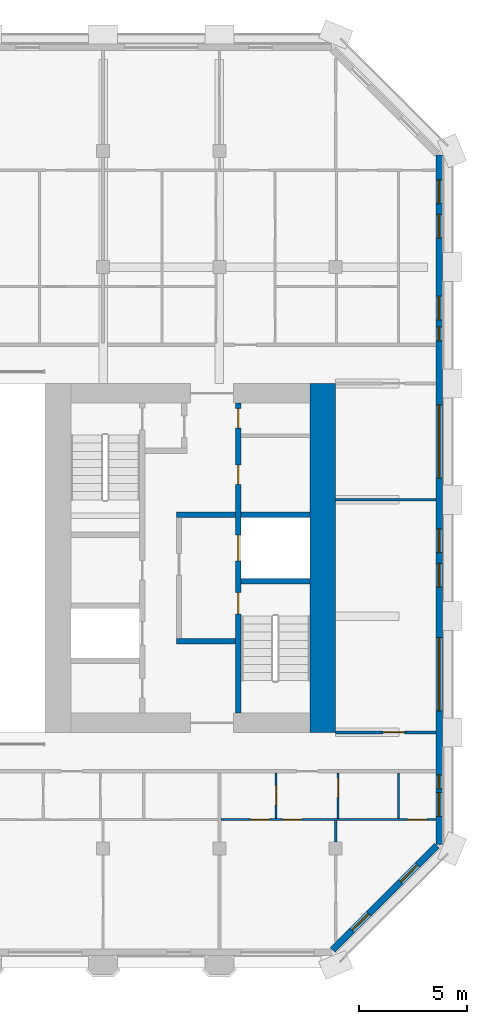
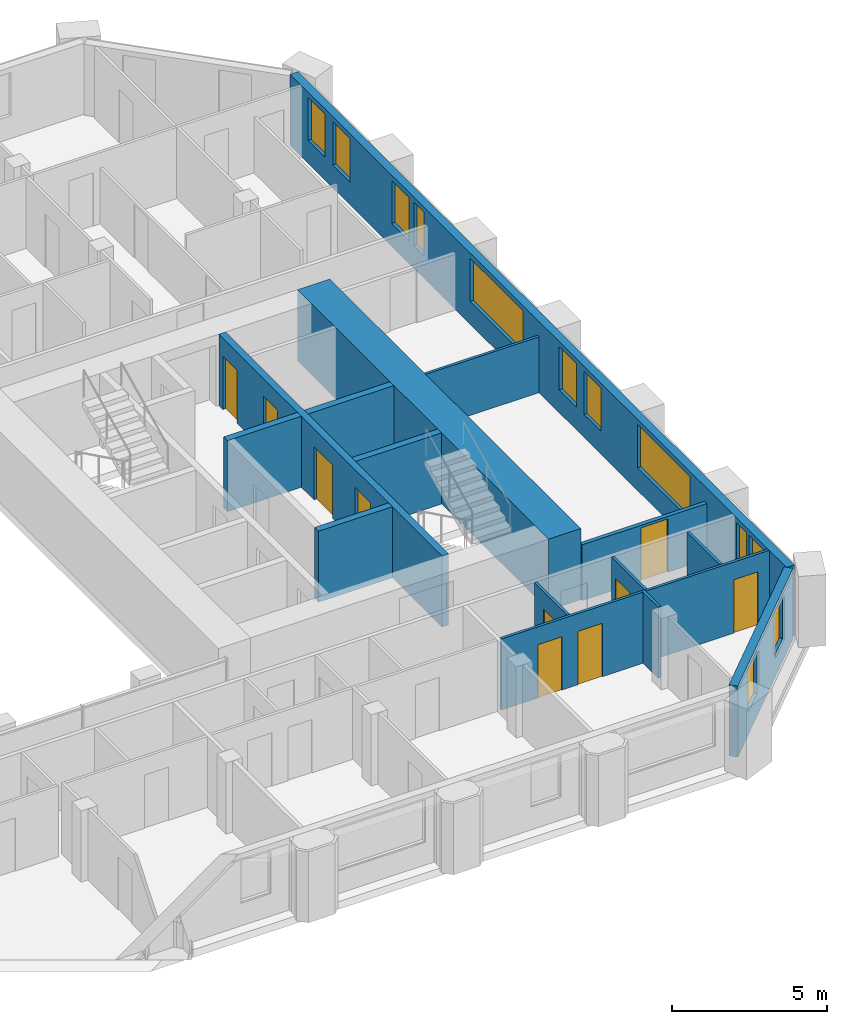
# One storey, part 7 of 13: 16 walls, 12 windows, 10 doors, 22 openings.
"""IFC4 building model written with IfcOpenShell, lengths in metres."""

from ifc_helpers import new_model, si_unit, direction, frame, frame_2d, origin, place, context, subcontext, project, spatial, rectangle, extrude, material, layer, layer_set, type_object, element, fill, save


model = new_model("IFC4")

# Units and contexts
model_context = context("Model", 3, precision=1e-05, world=origin(), true_north=direction((0.0, 1.0)))
body_context = subcontext(model_context, "Body", "Model", "MODEL_VIEW")
ifc_project = project(units=[si_unit("LENGTHUNIT", "METRE"), si_unit("AREAUNIT", "SQUARE_METRE"), si_unit("VOLUMEUNIT", "CUBIC_METRE"), si_unit("PLANEANGLEUNIT", "RADIAN"), si_unit("MASSUNIT", "GRAM", prefix="KILO")], contexts=[model_context])

# Site, building, storey
site_placement = place(None, origin())
site = spatial("IfcSite", under=ifc_project, at=site_placement, CompositionType="ELEMENT")
building_placement = place(site_placement, origin())
building = spatial("IfcBuilding", under=site, at=building_placement, Name="Tabaq Tower and Sports Hall", CompositionType="ELEMENT")
storey_placement = place(building_placement, frame((0.0, 0.0, 304.89990234375)))
storey = spatial("IfcBuildingStorey", under=building, at=storey_placement, Name="L76", CompositionType="ELEMENT", Elevation=304.89990234375)

# Walls
ifc_material_1 = material(Name="Concrete C40/50", Category="concrete")
ifc_layer_1 = layer(ifc_material_1, 1.199951171875)
ifc_layer_set_1 = layer_set([ifc_layer_1], Name="Core wall 1200 Concrete C40/50")
wall_type_1 = type_object("IfcWallType", Name="Core wall 1200 Concrete C40/50", PredefinedType="SOLIDWALL", material=ifc_layer_set_1)
wall_1_placement = place(storey_placement, frame((42.60009765625, 32.39990234375, 0.0), z_axis=(0.0, 0.0, 1.0), x_axis=(0.0, -1.0, 0.0)))
element("IfcWall", 1, at=wall_1_placement, inside=storey, type_object=wall_type_1, Name="Core wall E L76", PredefinedType="SOLIDWALL", context=body_context, shape_type="SweptSolid", body=[
    extrude(rectangle(XDim=16.199951171875, YDim=1.199951171875, at=frame_2d((8.10009765625, 0.0))), origin(), (0.0, 0.0, 1.0), 2.800048828125),
])
ifc_material_2 = material(Name="Gypsum board on steel studs", Category="steel")
ifc_layer_2 = layer(ifc_material_2, 0.10009765625)
ifc_layer_set_2 = layer_set([ifc_layer_2], Name="Partition 100 Gypsum board")
wall_type_2 = type_object("IfcWallType", Name="Partition 100 Gypsum board", PredefinedType="PARTITIONING", material=ifc_layer_set_2)
wall_2_placement = place(storey_placement, frame((43.199951171875, 27.0, 0.0), z_axis=(0.0, 0.0, 1.0), x_axis=(1.0, 0.0, 0.0)))
element("IfcWall", 2, at=wall_2_placement, inside=storey, type_object=wall_type_2, Name="Partition wall L76", PredefinedType="PARTITIONING", context=body_context, shape_type="SweptSolid", body=[
    extrude(rectangle(XDim=4.649169921875, YDim=0.10009765625, at=frame_2d((2.32470703125, 0.0))), origin(), (0.0, 0.0, 1.0), 2.2001953125),
])
wall_3_placement = place(storey_placement, frame((43.199951171875, 11.1201171875, 0.0), z_axis=(0.0, 0.0, 1.0), x_axis=(0.0, 1.0, 0.0)))
element("IfcWall", 3, at=wall_3_placement, inside=storey, type_object=wall_type_2, Name="Partition wall L76", PredefinedType="PARTITIONING", context=body_context, shape_type="SweptSolid", body=[
    extrude(rectangle(XDim=1.079833984375, YDim=0.10009765625, at=frame_2d((0.5400390625, 0.0))), origin(), (0.0, 0.0, 1.0), 2.800048828125),
])

# Wall, openings, doors
wall_4_placement = place(storey_placement, frame((43.14990234375, 12.14990234375, 0.0), z_axis=(0.0, 0.0, 1.0), x_axis=(-1.0, 0.0, 0.0)))
wall_4 = element("IfcWall", 4, at=wall_4_placement, inside=storey, type_object=wall_type_2, Name="Partition wall L76", PredefinedType="PARTITIONING", context=body_context, shape_type="SweptSolid", body=[
    extrude(rectangle(XDim=5.27490234375, YDim=0.10009765625, at=frame_2d((2.637451171875, 0.0))), origin(), (0.0, 0.0, 1.0), 2.800048828125),
])
opening_1_placement = place(wall_4_placement, frame((3.01708984375, 0.0, 0.0)))
opening_1 = element("IfcOpeningElement", 5, at=opening_1_placement, cuts=wall_4, Name="Opening L76-049", PredefinedType="OPENING", context=body_context, shape_type="SweptSolid", body=[
    extrude(rectangle(XDim=0.89990234375, YDim=2.10009765625, at=frame_2d((0.449951171875, 1.050048828125))), frame((0.0, 0.050048828125, 0.0), z_axis=(0.0, -1.0, 0.0), x_axis=(1.0, 0.0, 0.0)), (0.0, 0.0, 1.0), 0.10009765625),
])
opening_2_placement = place(wall_4_placement, frame((1.51708984375, 0.0, 0.0)))
opening_2 = element("IfcOpeningElement", 6, at=opening_2_placement, cuts=wall_4, Name="Opening L76-058", PredefinedType="OPENING", context=body_context, shape_type="SweptSolid", body=[
    extrude(rectangle(XDim=0.89990234375, YDim=2.10009765625, at=frame_2d((0.449951171875, 1.050048828125))), frame((0.0, 0.050048828125, 0.0), z_axis=(0.0, -1.0, 0.0), x_axis=(1.0, 0.0, 0.0)), (0.0, 0.0, 1.0), 0.10009765625),
])
ifc_material_3 = material(Name="Timber leaf in steel frame", Category="steel")
door_type_1 = type_object("IfcDoorType", Name="Internal door 900 left hand", OperationType="SINGLE_SWING_LEFT", PredefinedType="DOOR", material=ifc_material_3)
door_1_placement = place(opening_1_placement, origin())
door_1 = element("IfcDoor", 7, at=door_1_placement, inside=storey, type_object=door_type_1, Name="Internal door L76-049", OperationType="SINGLE_SWING_LEFT", OverallHeight=2.10009765625, OverallWidth=0.89990234375, PredefinedType="DOOR", context=body_context, shape_type="SweptSolid", body=[
    extrude(rectangle(XDim=0.89990234375, YDim=2.10009765625, at=frame_2d((0.449951171875, 1.050048828125))), frame((0.0, 0.02490234375, 0.0), z_axis=(0.0, -1.0, 0.0), x_axis=(1.0, 0.0, 0.0)), (0.0, 0.0, 1.0), 0.050048828125),
])
fill(opening_1, door_1)
ifc_material_4 = material(Name="Timber leaf in steel frame", Category="steel")
door_type_2 = type_object("IfcDoorType", Name="Internal door 900 right hand", OperationType="SINGLE_SWING_RIGHT", PredefinedType="DOOR", material=ifc_material_4)
door_2_placement = place(opening_2_placement, origin())
door_2 = element("IfcDoor", 8, at=door_2_placement, inside=storey, type_object=door_type_2, Name="Internal door L76-058", OperationType="SINGLE_SWING_RIGHT", OverallHeight=2.10009765625, OverallWidth=0.89990234375, PredefinedType="DOOR", context=body_context, shape_type="SweptSolid", body=[
    extrude(rectangle(XDim=0.89990234375, YDim=2.10009765625, at=frame_2d((0.449951171875, 1.050048828125))), frame((0.0, 0.02490234375, 0.0), z_axis=(0.0, -1.0, 0.0), x_axis=(1.0, 0.0, 0.0)), (0.0, 0.0, 1.0), 0.050048828125),
])
fill(opening_2, door_2)

# Wall, opening, door
wall_5_placement = place(storey_placement, frame((47.84912109375, 12.14990234375, 0.0), z_axis=(0.0, 0.0, 1.0), x_axis=(-1.0, 0.0, 0.0)))
wall_5 = element("IfcWall", 9, at=wall_5_placement, inside=storey, type_object=wall_type_2, Name="Partition wall L76", PredefinedType="PARTITIONING", context=body_context, shape_type="SweptSolid", body=[
    extrude(rectangle(XDim=4.587158203125, YDim=0.10009765625, at=frame_2d((2.29345703125, 0.0))), origin(), (0.0, 0.0, 1.0), 2.800048828125),
])
opening_3_placement = place(wall_5_placement, frame((0.41796875, 0.0, 0.0)))
opening_3 = element("IfcOpeningElement", 10, at=opening_3_placement, cuts=wall_5, Name="Opening L76-025", PredefinedType="OPENING", context=body_context, shape_type="SweptSolid", body=[
    extrude(rectangle(XDim=0.89990234375, YDim=2.10009765625, at=frame_2d((0.449951171875, 1.050048828125))), frame((0.0, 0.050048828125, 0.0), z_axis=(0.0, -1.0, 0.0), x_axis=(1.0, 0.0, 0.0)), (0.0, 0.0, 1.0), 0.10009765625),
])
door_3_placement = place(opening_3_placement, origin())
door_3 = element("IfcDoor", 11, at=door_3_placement, inside=storey, type_object=door_type_2, Name="Internal door L76-025", OperationType="SINGLE_SWING_RIGHT", OverallHeight=2.10009765625, OverallWidth=0.89990234375, PredefinedType="DOOR", context=body_context, shape_type="SweptSolid", body=[
    extrude(rectangle(XDim=0.89990234375, YDim=2.10009765625, at=frame_2d((0.449951171875, 1.050048828125))), frame((0.0, 0.02490234375, 0.0), z_axis=(0.0, -1.0, 0.0), x_axis=(1.0, 0.0, 0.0)), (0.0, 0.0, 1.0), 0.050048828125),
])
fill(opening_3, door_3)

wall_6_placement = place(storey_placement, frame((40.43310546875, 12.199951171875, 0.0), z_axis=(0.0, 0.0, 1.0), x_axis=(0.0, 1.0, 0.0)))
wall_6 = element("IfcWall", 12, at=wall_6_placement, inside=storey, type_object=wall_type_2, Name="Partition wall L76", PredefinedType="PARTITIONING", context=body_context, shape_type="SweptSolid", body=[
    extrude(rectangle(XDim=2.125, YDim=0.10009765625, at=frame_2d((1.0625, 0.0))), origin(), (0.0, 0.0, 1.0), 2.800048828125),
])
opening_4_placement = place(wall_6_placement, frame((0.625, 0.0, 0.0)))
opening_4 = element("IfcOpeningElement", 13, at=opening_4_placement, cuts=wall_6, Name="Opening L76-050", PredefinedType="OPENING", context=body_context, shape_type="SweptSolid", body=[
    extrude(rectangle(XDim=0.89990234375, YDim=2.10009765625, at=frame_2d((0.449951171875, 1.050048828125))), frame((0.0, 0.050048828125, 0.0), z_axis=(0.0, -1.0, 0.0), x_axis=(1.0, 0.0, 0.0)), (0.0, 0.0, 1.0), 0.10009765625),
])
door_4_placement = place(opening_4_placement, origin())
door_4 = element("IfcDoor", 14, at=door_4_placement, inside=storey, type_object=door_type_1, Name="Internal door L76-050", OperationType="SINGLE_SWING_LEFT", OverallHeight=2.10009765625, OverallWidth=0.89990234375, PredefinedType="DOOR", context=body_context, shape_type="SweptSolid", body=[
    extrude(rectangle(XDim=0.89990234375, YDim=2.10009765625, at=frame_2d((0.449951171875, 1.050048828125))), frame((0.0, 0.02490234375, 0.0), z_axis=(0.0, -1.0, 0.0), x_axis=(1.0, 0.0, 0.0)), (0.0, 0.0, 1.0), 0.050048828125),
])
fill(opening_4, door_4)

wall_7_placement = place(storey_placement, frame((43.31201171875, 12.199951171875, 0.0), z_axis=(0.0, 0.0, 1.0), x_axis=(0.0, 1.0, 0.0)))
wall_7 = element("IfcWall", 15, at=wall_7_placement, inside=storey, type_object=wall_type_2, Name="Partition wall L76", PredefinedType="PARTITIONING", context=body_context, shape_type="SweptSolid", body=[
    extrude(rectangle(XDim=2.125, YDim=0.10009765625, at=frame_2d((1.0625, 0.0))), origin(), (0.0, 0.0, 1.0), 2.800048828125),
])
opening_5_placement = place(wall_7_placement, frame((0.97509765625, 0.0, 0.0)))
opening_5 = element("IfcOpeningElement", 16, at=opening_5_placement, cuts=wall_7, Name="Opening L76-026", PredefinedType="OPENING", context=body_context, shape_type="SweptSolid", body=[
    extrude(rectangle(XDim=0.89990234375, YDim=2.10009765625, at=frame_2d((0.449951171875, 1.050048828125))), frame((0.0, 0.050048828125, 0.0), z_axis=(0.0, -1.0, 0.0), x_axis=(1.0, 0.0, 0.0)), (0.0, 0.0, 1.0), 0.10009765625),
])
door_5_placement = place(opening_5_placement, origin())
door_5 = element("IfcDoor", 17, at=door_5_placement, inside=storey, type_object=door_type_1, Name="Internal door L76-026", OperationType="SINGLE_SWING_LEFT", OverallHeight=2.10009765625, OverallWidth=0.89990234375, PredefinedType="DOOR", context=body_context, shape_type="SweptSolid", body=[
    extrude(rectangle(XDim=0.89990234375, YDim=2.10009765625, at=frame_2d((0.449951171875, 1.050048828125))), frame((0.0, 0.02490234375, 0.0), z_axis=(0.0, -1.0, 0.0), x_axis=(1.0, 0.0, 0.0)), (0.0, 0.0, 1.0), 0.050048828125),
])
fill(opening_5, door_5)

# Wall
wall_8_placement = place(storey_placement, frame((46.112060546875, 12.199951171875, 0.0), z_axis=(0.0, 0.0, 1.0), x_axis=(0.0, 1.0, 0.0)))
element("IfcWall", 18, at=wall_8_placement, inside=storey, type_object=wall_type_2, Name="Partition wall L76", PredefinedType="PARTITIONING", context=body_context, shape_type="SweptSolid", body=[
    extrude(rectangle(XDim=2.125, YDim=0.10009765625, at=frame_2d((1.0625, 0.0))), origin(), (0.0, 0.0, 1.0), 2.800048828125),
])

# Wall, opening, door
ifc_material_5 = material(Name="Blockwork", Category="masonry")
ifc_layer_3 = layer(ifc_material_5, 0.14990234375)
ifc_layer_set_3 = layer_set([ifc_layer_3], Name="Separating wall 150 Blockwork")
wall_type_3 = type_object("IfcWallType", Name="Separating wall 150 Blockwork", PredefinedType="PARTITIONING", material=ifc_layer_set_3)
wall_9_placement = place(storey_placement, frame((43.199951171875, 16.199951171875, 0.0), z_axis=(0.0, 0.0, 1.0), x_axis=(1.0, 0.0, 0.0)))
wall_9 = element("IfcWall", 19, at=wall_9_placement, inside=storey, type_object=wall_type_3, Name="Separating wall L76", PredefinedType="PARTITIONING", context=body_context, shape_type="SweptSolid", body=[
    extrude(rectangle(XDim=4.649169921875, YDim=0.14990234375, at=frame_2d((2.32470703125, 0.0))), origin(), (0.0, 0.0, 1.0), 2.2001953125),
])
opening_6_placement = place(wall_9_placement, frame((2.199951171875, 0.0, 0.0)))
opening_6 = element("IfcOpeningElement", 20, at=opening_6_placement, cuts=wall_9, Name="Opening L76-027", PredefinedType="OPENING", context=body_context, shape_type="SweptSolid", body=[
    extrude(rectangle(XDim=1.0, YDim=2.10009765625, at=frame_2d((0.5, 1.050048828125))), frame((0.0, 0.074951171875, 0.0), z_axis=(0.0, -1.0, 0.0), x_axis=(1.0, 0.0, 0.0)), (0.0, 0.0, 1.0), 0.14990234375),
])
ifc_material_6 = material(Name="Timber leaf in steel frame", Category="steel")
door_type_3 = type_object("IfcDoorType", Name="Internal door 1000 left hand", OperationType="SINGLE_SWING_LEFT", PredefinedType="DOOR", material=ifc_material_6)
door_6_placement = place(opening_6_placement, origin())
door_6 = element("IfcDoor", 21, at=door_6_placement, inside=storey, type_object=door_type_3, Name="Internal door L76-027", OperationType="SINGLE_SWING_LEFT", OverallHeight=2.10009765625, OverallWidth=1.0, PredefinedType="DOOR", context=body_context, shape_type="SweptSolid", body=[
    extrude(rectangle(XDim=1.0, YDim=2.10009765625, at=frame_2d((0.5, 1.050048828125))), frame((0.0, 0.02490234375, 0.0), z_axis=(0.0, -1.0, 0.0), x_axis=(1.0, 0.0, 0.0)), (0.0, 0.0, 1.0), 0.050048828125),
])
fill(opening_6, door_6)

# Wall, openings, doors
ifc_material_7 = material(Name="Concrete C40/50", Category="concrete")
ifc_layer_4 = layer(ifc_material_7, 0.25)
ifc_layer_set_4 = layer_set([ifc_layer_4], Name="Shaft and stair wall 250 Concrete C40/50")
wall_type_4 = type_object("IfcWallType", Name="Shaft and stair wall 250 Concrete C40/50", PredefinedType="SOLIDWALL", material=ifc_layer_set_4)
wall_10_placement = place(storey_placement, frame((38.675048828125, 17.10009765625, 0.0), z_axis=(0.0, 0.0, 1.0), x_axis=(0.0, 1.0, 0.0)))
wall_10 = element("IfcWall", 22, at=wall_10_placement, inside=storey, type_object=wall_type_4, Name="Shaft wall E L76", PredefinedType="SOLIDWALL", context=body_context, shape_type="SweptSolid", body=[
    extrude(rectangle(XDim=14.39990234375, YDim=0.25, at=frame_2d((7.199951171875, 0.0))), origin(), (0.0, 0.0, 1.0), 2.800048828125),
])
opening_7_placement = place(wall_10_placement, frame((4.60009765625, 0.0, 0.0)))
opening_7 = element("IfcOpeningElement", 23, at=opening_7_placement, cuts=wall_10, Name="Opening SD-EL76-03", PredefinedType="OPENING", context=body_context, shape_type="SweptSolid", body=[
    extrude(rectangle(XDim=1.0, YDim=2.10009765625, at=frame_2d((0.5, 1.050048828125))), frame((0.0, 0.125, 0.0), z_axis=(0.0, -1.0, 0.0), x_axis=(1.0, 0.0, 0.0)), (0.0, 0.0, 1.0), 0.25),
])
opening_8_placement = place(wall_10_placement, frame((7.0625, 0.0, 0.0)))
opening_8 = element("IfcOpeningElement", 24, at=opening_8_placement, cuts=wall_10, Name="Opening LD-FF2-L76", PredefinedType="OPENING", context=body_context, shape_type="SweptSolid", body=[
    extrude(rectangle(XDim=1.199951171875, YDim=2.10009765625, at=frame_2d((0.60009765625, 1.050048828125))), frame((0.0, 0.125, 0.0), z_axis=(0.0, -1.0, 0.0), x_axis=(1.0, 0.0, 0.0)), (0.0, 0.0, 1.0), 0.25),
])
opening_9_placement = place(wall_10_placement, frame((10.613525390625, 0.0, 0.0)))
opening_9 = element("IfcOpeningElement", 25, at=opening_9_placement, cuts=wall_10, Name="Opening RD-EL76-09", PredefinedType="OPENING", context=body_context, shape_type="SweptSolid", body=[
    extrude(rectangle(XDim=0.89990234375, YDim=2.10009765625, at=frame_2d((0.449951171875, 1.050048828125))), frame((0.0, 0.125, 0.0), z_axis=(0.0, -1.0, 0.0), x_axis=(1.0, 0.0, 0.0)), (0.0, 0.0, 1.0), 0.25),
])
opening_10_placement = place(wall_10_placement, frame((13.22607421875, 0.0, 0.0)))
opening_10 = element("IfcOpeningElement", 26, at=opening_10_placement, cuts=wall_10, Name="Opening RD-EL76-10", PredefinedType="OPENING", context=body_context, shape_type="SweptSolid", body=[
    extrude(rectangle(XDim=0.89990234375, YDim=2.10009765625, at=frame_2d((0.449951171875, 1.050048828125))), frame((0.0, 0.125, 0.0), z_axis=(0.0, -1.0, 0.0), x_axis=(1.0, 0.0, 0.0)), (0.0, 0.0, 1.0), 0.25),
])
ifc_material_8 = material(Name="Steel fire door", Category="steel")
door_type_4 = type_object("IfcDoorType", Name="Core room door 900", OperationType="SINGLE_SWING_LEFT", PredefinedType="DOOR", material=ifc_material_8)
door_7_placement = place(opening_9_placement, origin())
door_7 = element("IfcDoor", 27, at=door_7_placement, inside=storey, type_object=door_type_4, Name="Door Comms Room E L76", OperationType="SINGLE_SWING_LEFT", OverallHeight=2.10009765625, OverallWidth=0.89990234375, PredefinedType="DOOR", context=body_context, shape_type="SweptSolid", body=[
    extrude(rectangle(XDim=0.89990234375, YDim=2.10009765625, at=frame_2d((0.449951171875, 1.050048828125))), frame((0.0, 0.02490234375, 0.0), z_axis=(0.0, -1.0, 0.0), x_axis=(1.0, 0.0, 0.0)), (0.0, 0.0, 1.0), 0.050048828125),
])
fill(opening_9, door_7)
door_8_placement = place(opening_10_placement, origin())
door_8 = element("IfcDoor", 28, at=door_8_placement, inside=storey, type_object=door_type_4, Name="Door Electrical Room E L76", OperationType="SINGLE_SWING_LEFT", OverallHeight=2.10009765625, OverallWidth=0.89990234375, PredefinedType="DOOR", context=body_context, shape_type="SweptSolid", body=[
    extrude(rectangle(XDim=0.89990234375, YDim=2.10009765625, at=frame_2d((0.449951171875, 1.050048828125))), frame((0.0, 0.02490234375, 0.0), z_axis=(0.0, -1.0, 0.0), x_axis=(1.0, 0.0, 0.0)), (0.0, 0.0, 1.0), 0.050048828125),
])
fill(opening_10, door_8)
ifc_material_9 = material(Name="Stainless steel", Category="steel")
door_type_5 = type_object("IfcDoorType", Name="Lift landing door 1200", OperationType="DOUBLE_DOOR_SLIDING", PredefinedType="DOOR", material=ifc_material_9)
door_9_placement = place(opening_8_placement, origin())
door_9 = element("IfcDoor", 29, at=door_9_placement, inside=storey, type_object=door_type_5, Name="Lift landing door FF2 E L76", OperationType="DOUBLE_DOOR_SLIDING", OverallHeight=2.10009765625, OverallWidth=1.199951171875, PredefinedType="DOOR", context=body_context, shape_type="SweptSolid", body=[
    extrude(rectangle(XDim=1.199951171875, YDim=2.10009765625, at=frame_2d((0.60009765625, 1.050048828125))), frame((0.0, 0.02490234375, 0.0), z_axis=(0.0, -1.0, 0.0), x_axis=(1.0, 0.0, 0.0)), (0.0, 0.0, 1.0), 0.050048828125),
])
fill(opening_8, door_9)
ifc_material_10 = material(Name="Steel fire door", Category="steel")
door_type_6 = type_object("IfcDoorType", Name="Stair door 1000", OperationType="SINGLE_SWING_LEFT", PredefinedType="DOOR", material=ifc_material_10)
door_10_placement = place(opening_7_placement, origin())
door_10 = element("IfcDoor", 30, at=door_10_placement, inside=storey, type_object=door_type_6, Name="Stair door ST3 E L76", OperationType="SINGLE_SWING_LEFT", OverallHeight=2.10009765625, OverallWidth=1.0, PredefinedType="DOOR", context=body_context, shape_type="SweptSolid", body=[
    extrude(rectangle(XDim=1.0, YDim=2.10009765625, at=frame_2d((0.5, 1.050048828125))), frame((0.0, 0.02490234375, 0.0), z_axis=(0.0, -1.0, 0.0), x_axis=(1.0, 0.0, 0.0)), (0.0, 0.0, 1.0), 0.050048828125),
])
fill(opening_7, door_10)

# Walls
for number, where, z_axis, x_axis, name in (
    (31, (38.800048828125, 23.22509765625, 0.0), (0.0, 0.0, 1.0), (1.0, 0.0, 0.0), "Stair enclosure wall E L76"),
    (32, (38.800048828125, 26.300048828125, 0.0), (0.0, 0.0, 1.0), (1.0, 0.0, 0.0), "Shaft wall E L76"),
):
    element("IfcWall", number, at=place(storey_placement, frame(where, z_axis=z_axis, x_axis=x_axis)), inside=storey, type_object=wall_type_4, Name=name, PredefinedType="SOLIDWALL", context=body_context, shape_type="SweptSolid", body=[
        extrude(rectangle(XDim=3.199951171875, YDim=0.25, at=frame_2d((1.60009765625, 0.0))), origin(), (0.0, 0.0, 1.0), 2.800048828125),
    ])
for number, where, z_axis, x_axis, name in (
    (33, (35.800048828125, 26.300048828125, 0.0), (0.0, 0.0, 1.0), (1.0, 0.0, 0.0), "Fire-fighting lobby wall E L76"),
    (34, (35.800048828125, 20.425048828125, 0.0), (0.0, 0.0, 1.0), (1.0, 0.0, 0.0), "Fire-fighting lobby wall E L76"),
):
    element("IfcWall", number, at=place(storey_placement, frame(where, z_axis=z_axis, x_axis=x_axis)), inside=storey, type_object=wall_type_4, Name=name, PredefinedType="SOLIDWALL", context=body_context, shape_type="SweptSolid", body=[
        extrude(rectangle(XDim=2.75, YDim=0.25, at=frame_2d((1.375, 0.0))), origin(), (0.0, 0.0, 1.0), 2.800048828125),
    ])

# Wall, openings, windows
ifc_material_11 = material(Name="White precast concrete C60/75", Category="concrete")
ifc_layer_5 = layer(ifc_material_11, 0.300048828125)
ifc_layer_set_5 = layer_set([ifc_layer_5], Name="White precast concrete C60/75 external wall 300")
wall_type_5 = type_object("IfcWallType", Name="White precast concrete C60/75 external wall 300", PredefinedType="SOLIDWALL", material=ifc_layer_set_5)
wall_11_placement = place(storey_placement, frame((43.050537109375, 6.098876953125, 0.0), z_axis=(0.0, 0.0, 1.0), x_axis=(0.707106781187, 0.707106781187, 0.0)))
wall_11 = element("IfcWall", 35, at=wall_11_placement, inside=storey, type_object=wall_type_5, Name="External Wall L76 SE", PredefinedType="SOLIDWALL", context=body_context, shape_type="SweptSolid", body=[
    extrude(rectangle(XDim=6.85986328125, YDim=0.300048828125, at=frame_2d((3.429931640625, 0.0))), origin(), (0.0, 0.0, 1.0), 2.800048828125),
])
opening_11_placement = place(wall_11_placement, frame((1.27978515625, 0.0, 0.89990234375)))
opening_11 = element("IfcOpeningElement", 36, at=opening_11_placement, cuts=wall_11, Name="Opening W1B", PredefinedType="OPENING", context=body_context, shape_type="SweptSolid", body=[
    extrude(rectangle(XDim=1.10009765625, YDim=1.699951171875, at=frame_2d((0.550048828125, 0.85009765625))), frame((0.0, 0.16015625, 0.0), z_axis=(0.0, -1.0, 0.0), x_axis=(1.0, 0.0, 0.0)), (0.0, 0.0, 1.0), 0.320068359375),
])
opening_12_placement = place(wall_11_placement, frame((4.479736328125, 0.0, 0.89990234375)))
opening_12 = element("IfcOpeningElement", 37, at=opening_12_placement, cuts=wall_11, Name="Opening W1B", PredefinedType="OPENING", context=body_context, shape_type="SweptSolid", body=[
    extrude(rectangle(XDim=1.10009765625, YDim=1.699951171875, at=frame_2d((0.550048828125, 0.85009765625))), frame((0.0, 0.16015625, 0.0), z_axis=(0.0, -1.0, 0.0), x_axis=(1.0, 0.0, 0.0)), (0.0, 0.0, 1.0), 0.320068359375),
])
ifc_material_12 = material(Name="Aluminium framed clear glazing", Category="aluminium")
window_type_1 = type_object("IfcWindowType", Name="Window W1B", PartitioningType="SINGLE_PANEL", PredefinedType="WINDOW", material=ifc_material_12)
window_1_placement = place(opening_11_placement, origin())
window_1 = element("IfcWindow", 38, at=window_1_placement, inside=storey, type_object=window_type_1, Name="Window W1B L76", OverallHeight=1.699951171875, OverallWidth=1.10009765625, PartitioningType="SINGLE_PANEL", PredefinedType="WINDOW", context=body_context, shape_type="SweptSolid", body=[
    extrude(rectangle(XDim=1.10009765625, YDim=1.699951171875, at=frame_2d((0.550048828125, 0.85009765625))), frame((0.0, 0.030029296875, 0.0), z_axis=(0.0, -1.0, 0.0), x_axis=(1.0, 0.0, 0.0)), (0.0, 0.0, 1.0), 0.06005859375),
])
fill(opening_11, window_1)
window_2_placement = place(opening_12_placement, origin())
window_2 = element("IfcWindow", 39, at=window_2_placement, inside=storey, type_object=window_type_1, Name="Window W1B L76", OverallHeight=1.699951171875, OverallWidth=1.10009765625, PartitioningType="SINGLE_PANEL", PredefinedType="WINDOW", context=body_context, shape_type="SweptSolid", body=[
    extrude(rectangle(XDim=1.10009765625, YDim=1.699951171875, at=frame_2d((0.550048828125, 0.85009765625))), frame((0.0, 0.030029296875, 0.0), z_axis=(0.0, -1.0, 0.0), x_axis=(1.0, 0.0, 0.0)), (0.0, 0.0, 1.0), 0.06005859375),
])
fill(opening_12, window_2)

wall_12_placement = place(storey_placement, frame((48.0, 10.986328125, 0.0), z_axis=(0.0, 0.0, 1.0), x_axis=(0.0, 1.0, 0.0)))
wall_12 = element("IfcWall", 40, at=wall_12_placement, inside=storey, type_object=wall_type_5, Name="External Wall L76 E", PredefinedType="SOLIDWALL", context=body_context, shape_type="SweptSolid", body=[
    extrude(rectangle(XDim=32.02734375, YDim=0.300048828125, at=frame_2d((16.013671875, 0.0))), origin(), (0.0, 0.0, 1.0), 2.800048828125),
])
opening_13_placement = place(wall_12_placement, frame((1.313720703125, 0.0, 0.89990234375)))
opening_13 = element("IfcOpeningElement", 41, at=opening_13_placement, cuts=wall_12, Name="Opening W1B", PredefinedType="OPENING", context=body_context, shape_type="SweptSolid", body=[
    extrude(rectangle(XDim=1.10009765625, YDim=1.699951171875, at=frame_2d((0.550048828125, 0.85009765625))), frame((0.0, 0.16015625, 0.0), z_axis=(0.0, -1.0, 0.0), x_axis=(1.0, 0.0, 0.0)), (0.0, 0.0, 1.0), 0.320068359375),
])
opening_14_placement = place(wall_12_placement, frame((2.588623046875, 0.0, 0.89990234375)))
opening_14 = element("IfcOpeningElement", 42, at=opening_14_placement, cuts=wall_12, Name="Opening W1C", PredefinedType="OPENING", context=body_context, shape_type="SweptSolid", body=[
    extrude(rectangle(XDim=0.64990234375, YDim=1.699951171875, at=frame_2d((0.324951171875, 0.85009765625))), frame((0.0, 0.16015625, 0.0), z_axis=(0.0, -1.0, 0.0), x_axis=(1.0, 0.0, 0.0)), (0.0, 0.0, 1.0), 0.320068359375),
])
opening_15_placement = place(wall_12_placement, frame((6.213623046875, 0.0, 0.89990234375)))
opening_15 = element("IfcOpeningElement", 43, at=opening_15_placement, cuts=wall_12, Name="Opening W1A", PredefinedType="OPENING", context=body_context, shape_type="SweptSolid", body=[
    extrude(rectangle(XDim=3.39990234375, YDim=1.699951171875, at=frame_2d((1.699951171875, 0.85009765625))), frame((0.0, 0.16015625, 0.0), z_axis=(0.0, -1.0, 0.0), x_axis=(1.0, 0.0, 0.0)), (0.0, 0.0, 1.0), 0.320068359375),
])
opening_16_placement = place(wall_12_placement, frame((11.963623046875, 0.0, 0.89990234375)))
opening_16 = element("IfcOpeningElement", 44, at=opening_16_placement, cuts=wall_12, Name="Opening W1B", PredefinedType="OPENING", context=body_context, shape_type="SweptSolid", body=[
    extrude(rectangle(XDim=1.10009765625, YDim=1.699951171875, at=frame_2d((0.550048828125, 0.85009765625))), frame((0.0, 0.16015625, 0.0), z_axis=(0.0, -1.0, 0.0), x_axis=(1.0, 0.0, 0.0)), (0.0, 0.0, 1.0), 0.320068359375),
])
opening_17_placement = place(wall_12_placement, frame((13.563720703125, 0.0, 0.89990234375)))
opening_17 = element("IfcOpeningElement", 45, at=opening_17_placement, cuts=wall_12, Name="Opening W1B", PredefinedType="OPENING", context=body_context, shape_type="SweptSolid", body=[
    extrude(rectangle(XDim=1.10009765625, YDim=1.699951171875, at=frame_2d((0.550048828125, 0.85009765625))), frame((0.0, 0.16015625, 0.0), z_axis=(0.0, -1.0, 0.0), x_axis=(1.0, 0.0, 0.0)), (0.0, 0.0, 1.0), 0.320068359375),
])
opening_18_placement = place(wall_12_placement, frame((17.013671875, 0.0, 0.89990234375)))
opening_18 = element("IfcOpeningElement", 46, at=opening_18_placement, cuts=wall_12, Name="Opening W1A", PredefinedType="OPENING", context=body_context, shape_type="SweptSolid", body=[
    extrude(rectangle(XDim=3.39990234375, YDim=1.699951171875, at=frame_2d((1.699951171875, 0.85009765625))), frame((0.0, 0.16015625, 0.0), z_axis=(0.0, -1.0, 0.0), x_axis=(1.0, 0.0, 0.0)), (0.0, 0.0, 1.0), 0.320068359375),
])
opening_19_placement = place(wall_12_placement, frame((23.388671875, 0.0, 0.89990234375)))
opening_19 = element("IfcOpeningElement", 47, at=opening_19_placement, cuts=wall_12, Name="Opening W1C", PredefinedType="OPENING", context=body_context, shape_type="SweptSolid", body=[
    extrude(rectangle(XDim=0.64990234375, YDim=1.699951171875, at=frame_2d((0.324951171875, 0.85009765625))), frame((0.0, 0.16015625, 0.0), z_axis=(0.0, -1.0, 0.0), x_axis=(1.0, 0.0, 0.0)), (0.0, 0.0, 1.0), 0.320068359375),
])
opening_20_placement = place(wall_12_placement, frame((24.363525390625, 0.0, 0.89990234375)))
opening_20 = element("IfcOpeningElement", 48, at=opening_20_placement, cuts=wall_12, Name="Opening W1B", PredefinedType="OPENING", context=body_context, shape_type="SweptSolid", body=[
    extrude(rectangle(XDim=1.10009765625, YDim=1.699951171875, at=frame_2d((0.550048828125, 0.85009765625))), frame((0.0, 0.16015625, 0.0), z_axis=(0.0, -1.0, 0.0), x_axis=(1.0, 0.0, 0.0)), (0.0, 0.0, 1.0), 0.320068359375),
])
opening_21_placement = place(wall_12_placement, frame((28.16357421875, 0.0, 0.89990234375)))
opening_21 = element("IfcOpeningElement", 49, at=opening_21_placement, cuts=wall_12, Name="Opening W1B", PredefinedType="OPENING", context=body_context, shape_type="SweptSolid", body=[
    extrude(rectangle(XDim=1.10009765625, YDim=1.699951171875, at=frame_2d((0.550048828125, 0.85009765625))), frame((0.0, 0.16015625, 0.0), z_axis=(0.0, -1.0, 0.0), x_axis=(1.0, 0.0, 0.0)), (0.0, 0.0, 1.0), 0.320068359375),
])
opening_22_placement = place(wall_12_placement, frame((29.763671875, 0.0, 0.89990234375)))
opening_22 = element("IfcOpeningElement", 50, at=opening_22_placement, cuts=wall_12, Name="Opening W1B", PredefinedType="OPENING", context=body_context, shape_type="SweptSolid", body=[
    extrude(rectangle(XDim=1.10009765625, YDim=1.699951171875, at=frame_2d((0.550048828125, 0.85009765625))), frame((0.0, 0.16015625, 0.0), z_axis=(0.0, -1.0, 0.0), x_axis=(1.0, 0.0, 0.0)), (0.0, 0.0, 1.0), 0.320068359375),
])
ifc_material_13 = material(Name="Aluminium framed clear glazing", Category="aluminium")
window_type_2 = type_object("IfcWindowType", Name="Window W1A", PartitioningType="SINGLE_PANEL", PredefinedType="WINDOW", material=ifc_material_13)
window_3_placement = place(opening_15_placement, origin())
window_3 = element("IfcWindow", 51, at=window_3_placement, inside=storey, type_object=window_type_2, Name="Window W1A L76", OverallHeight=1.699951171875, OverallWidth=3.39990234375, PartitioningType="SINGLE_PANEL", PredefinedType="WINDOW", context=body_context, shape_type="SweptSolid", body=[
    extrude(rectangle(XDim=3.39990234375, YDim=1.699951171875, at=frame_2d((1.699951171875, 0.85009765625))), frame((0.0, 0.030029296875, 0.0), z_axis=(0.0, -1.0, 0.0), x_axis=(1.0, 0.0, 0.0)), (0.0, 0.0, 1.0), 0.06005859375),
])
fill(opening_15, window_3)
window_4_placement = place(opening_18_placement, origin())
window_4 = element("IfcWindow", 52, at=window_4_placement, inside=storey, type_object=window_type_2, Name="Window W1A L76", OverallHeight=1.699951171875, OverallWidth=3.39990234375, PartitioningType="SINGLE_PANEL", PredefinedType="WINDOW", context=body_context, shape_type="SweptSolid", body=[
    extrude(rectangle(XDim=3.39990234375, YDim=1.699951171875, at=frame_2d((1.699951171875, 0.85009765625))), frame((0.0, 0.030029296875, 0.0), z_axis=(0.0, -1.0, 0.0), x_axis=(1.0, 0.0, 0.0)), (0.0, 0.0, 1.0), 0.06005859375),
])
fill(opening_18, window_4)
window_5_placement = place(opening_13_placement, origin())
window_5 = element("IfcWindow", 53, at=window_5_placement, inside=storey, type_object=window_type_1, Name="Window W1B L76", OverallHeight=1.699951171875, OverallWidth=1.10009765625, PartitioningType="SINGLE_PANEL", PredefinedType="WINDOW", context=body_context, shape_type="SweptSolid", body=[
    extrude(rectangle(XDim=1.10009765625, YDim=1.699951171875, at=frame_2d((0.550048828125, 0.85009765625))), frame((0.0, 0.030029296875, 0.0), z_axis=(0.0, -1.0, 0.0), x_axis=(1.0, 0.0, 0.0)), (0.0, 0.0, 1.0), 0.06005859375),
])
fill(opening_13, window_5)
window_6_placement = place(opening_16_placement, origin())
window_6 = element("IfcWindow", 54, at=window_6_placement, inside=storey, type_object=window_type_1, Name="Window W1B L76", OverallHeight=1.699951171875, OverallWidth=1.10009765625, PartitioningType="SINGLE_PANEL", PredefinedType="WINDOW", context=body_context, shape_type="SweptSolid", body=[
    extrude(rectangle(XDim=1.10009765625, YDim=1.699951171875, at=frame_2d((0.550048828125, 0.85009765625))), frame((0.0, 0.030029296875, 0.0), z_axis=(0.0, -1.0, 0.0), x_axis=(1.0, 0.0, 0.0)), (0.0, 0.0, 1.0), 0.06005859375),
])
fill(opening_16, window_6)
window_7_placement = place(opening_17_placement, origin())
window_7 = element("IfcWindow", 55, at=window_7_placement, inside=storey, type_object=window_type_1, Name="Window W1B L76", OverallHeight=1.699951171875, OverallWidth=1.10009765625, PartitioningType="SINGLE_PANEL", PredefinedType="WINDOW", context=body_context, shape_type="SweptSolid", body=[
    extrude(rectangle(XDim=1.10009765625, YDim=1.699951171875, at=frame_2d((0.550048828125, 0.85009765625))), frame((0.0, 0.030029296875, 0.0), z_axis=(0.0, -1.0, 0.0), x_axis=(1.0, 0.0, 0.0)), (0.0, 0.0, 1.0), 0.06005859375),
])
fill(opening_17, window_7)
window_8_placement = place(opening_20_placement, origin())
window_8 = element("IfcWindow", 56, at=window_8_placement, inside=storey, type_object=window_type_1, Name="Window W1B L76", OverallHeight=1.699951171875, OverallWidth=1.10009765625, PartitioningType="SINGLE_PANEL", PredefinedType="WINDOW", context=body_context, shape_type="SweptSolid", body=[
    extrude(rectangle(XDim=1.10009765625, YDim=1.699951171875, at=frame_2d((0.550048828125, 0.85009765625))), frame((0.0, 0.030029296875, 0.0), z_axis=(0.0, -1.0, 0.0), x_axis=(1.0, 0.0, 0.0)), (0.0, 0.0, 1.0), 0.06005859375),
])
fill(opening_20, window_8)
window_9_placement = place(opening_21_placement, origin())
window_9 = element("IfcWindow", 57, at=window_9_placement, inside=storey, type_object=window_type_1, Name="Window W1B L76", OverallHeight=1.699951171875, OverallWidth=1.10009765625, PartitioningType="SINGLE_PANEL", PredefinedType="WINDOW", context=body_context, shape_type="SweptSolid", body=[
    extrude(rectangle(XDim=1.10009765625, YDim=1.699951171875, at=frame_2d((0.550048828125, 0.85009765625))), frame((0.0, 0.030029296875, 0.0), z_axis=(0.0, -1.0, 0.0), x_axis=(1.0, 0.0, 0.0)), (0.0, 0.0, 1.0), 0.06005859375),
])
fill(opening_21, window_9)
window_10_placement = place(opening_22_placement, origin())
window_10 = element("IfcWindow", 58, at=window_10_placement, inside=storey, type_object=window_type_1, Name="Window W1B L76", OverallHeight=1.699951171875, OverallWidth=1.10009765625, PartitioningType="SINGLE_PANEL", PredefinedType="WINDOW", context=body_context, shape_type="SweptSolid", body=[
    extrude(rectangle(XDim=1.10009765625, YDim=1.699951171875, at=frame_2d((0.550048828125, 0.85009765625))), frame((0.0, 0.030029296875, 0.0), z_axis=(0.0, -1.0, 0.0), x_axis=(1.0, 0.0, 0.0)), (0.0, 0.0, 1.0), 0.06005859375),
])
fill(opening_22, window_10)
ifc_material_14 = material(Name="Aluminium framed clear glazing", Category="aluminium")
window_type_3 = type_object("IfcWindowType", Name="Window W1C", PartitioningType="SINGLE_PANEL", PredefinedType="WINDOW", material=ifc_material_14)
window_11_placement = place(opening_14_placement, origin())
window_11 = element("IfcWindow", 59, at=window_11_placement, inside=storey, type_object=window_type_3, Name="Window W1C L76", OverallHeight=1.699951171875, OverallWidth=0.64990234375, PartitioningType="SINGLE_PANEL", PredefinedType="WINDOW", context=body_context, shape_type="SweptSolid", body=[
    extrude(rectangle(XDim=0.64990234375, YDim=1.699951171875, at=frame_2d((0.324951171875, 0.85009765625))), frame((0.0, 0.030029296875, 0.0), z_axis=(0.0, -1.0, 0.0), x_axis=(1.0, 0.0, 0.0)), (0.0, 0.0, 1.0), 0.06005859375),
])
fill(opening_14, window_11)
window_12_placement = place(opening_19_placement, origin())
window_12 = element("IfcWindow", 60, at=window_12_placement, inside=storey, type_object=window_type_3, Name="Window W1C L76", OverallHeight=1.699951171875, OverallWidth=0.64990234375, PartitioningType="SINGLE_PANEL", PredefinedType="WINDOW", context=body_context, shape_type="SweptSolid", body=[
    extrude(rectangle(XDim=0.64990234375, YDim=1.699951171875, at=frame_2d((0.324951171875, 0.85009765625))), frame((0.0, 0.030029296875, 0.0), z_axis=(0.0, -1.0, 0.0), x_axis=(1.0, 0.0, 0.0)), (0.0, 0.0, 1.0), 0.06005859375),
])
fill(opening_19, window_12)

save(model, "model.ifc")
